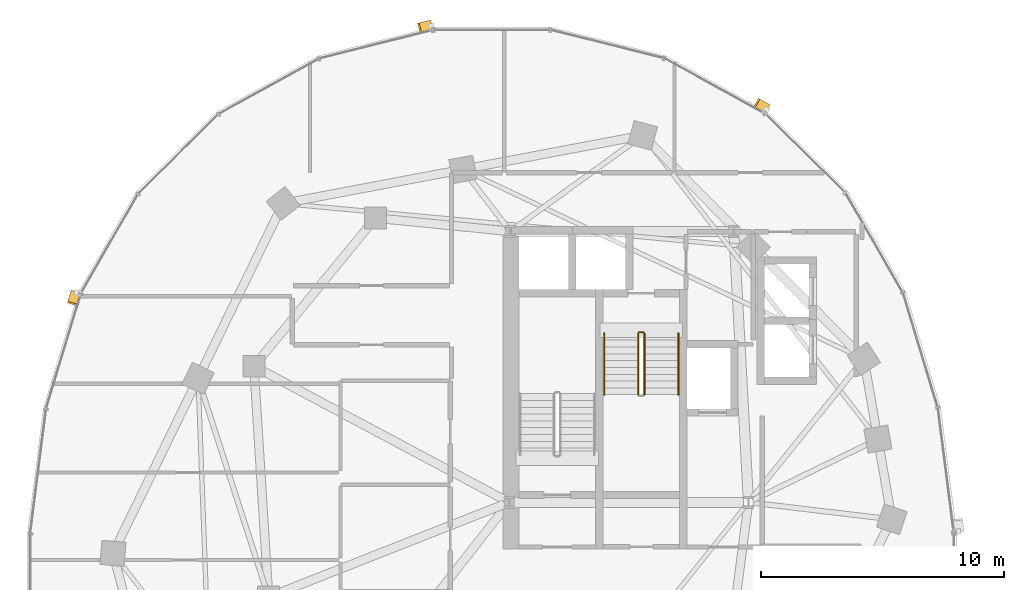
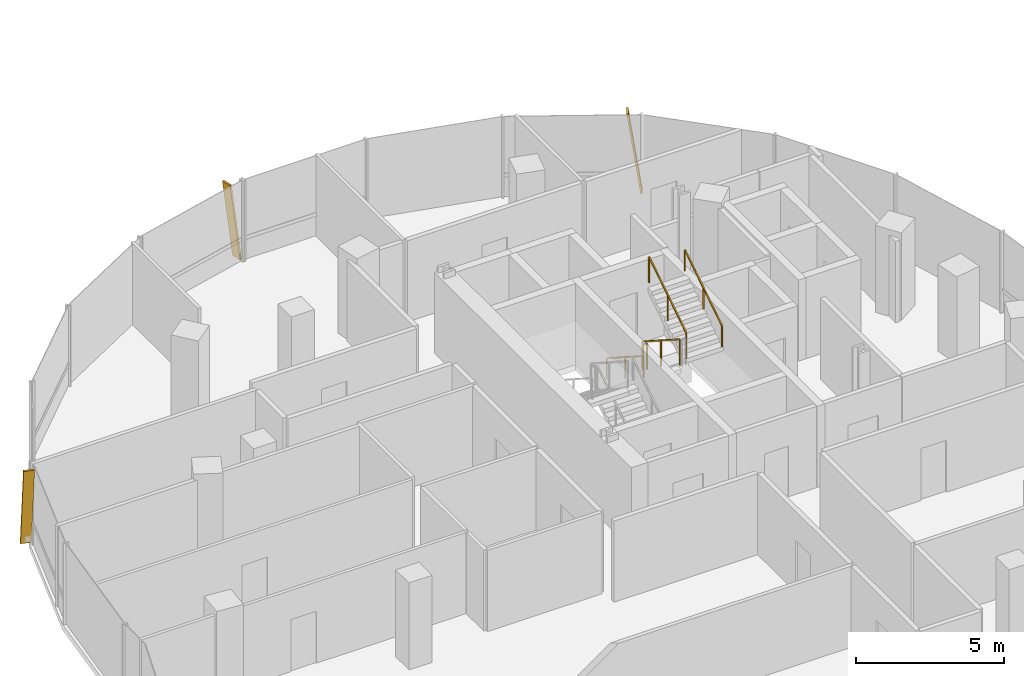
# One storey, part 21 of 23: 5 railings, 3 shading devices.
"""IFC4 building model written with IfcOpenShell, lengths in metres."""

import ifcopenshell
import ifcopenshell.guid

model = None  # the IFC model being written
_history = None  # IfcOwnerHistory: only IFC2X3 demands one
_inside = {}  # id of a spatial element -> (the spatial element, [elements in it])
_under = {}  # id of a project, library or spatial element -> (it, [spatial elements below it])
_declared = {}  # id of a project -> (the project, [libraries it declares])
_typed = {}  # id of a type object -> (the type object, [elements of that type])
_made_of = {}  # id of a material, layer set ... -> (it, [elements and type objects made of it])


def new_model(schema):
    """Start an empty IFC model of exactly this schema.

    Asked for "IFC4X3", IfcOpenShell would pick the latest addendum, in which some entities
    have other attributes; the version numbers below select the first issue.
    IFC2X3 requires an IfcOwnerHistory on every rooted entity: one is made here for all.
    """
    global model, _history
    if schema == "IFC4X3":
        model = ifcopenshell.file(schema_version=(4, 3, 0, 0))
    else:
        model = ifcopenshell.file(schema=schema)
    _inside.clear()
    _under.clear()
    _declared.clear()
    _typed.clear()
    _made_of.clear()
    _history = None
    if model.schema == "IFC2X3":
        org = make("IfcOrganization", Name="unknown")
        user = make(
            "IfcPersonAndOrganization",
            ThePerson=make("IfcPerson", FamilyName="unknown"),
            TheOrganization=org,
        )
        app = make(
            "IfcApplication",
            ApplicationDeveloper=org,
            Version="unknown",
            ApplicationFullName="unknown",
            ApplicationIdentifier="unknown",
        )
        _history = make(
            "IfcOwnerHistory",
            OwningUser=user,
            OwningApplication=app,
            ChangeAction="ADDED",
            CreationDate=0,
        )
    return model


def make(cls, **values):
    """One entity of the class cls with the attributes given. An attribute that is None is left unset."""
    return model.create_entity(
        cls, **{name: value for name, value in values.items() if value is not None}
    )


def rooted(cls, **values):
    """An entity with a GlobalId (a new one), such as an element, a storey or a relation."""
    return make(cls, GlobalId=ifcopenshell.guid.new(), OwnerHistory=_history, **values)


def si_unit(unit_type, name, prefix=None):
    """IfcSIUnit, for example si_unit("LENGTHUNIT", "METRE", prefix="MILLI")."""
    return make("IfcSIUnit", UnitType=unit_type, Prefix=prefix, Name=name)


def assignment(units):
    """IfcUnitAssignment: the units of a project."""
    return None if units is None else make("IfcUnitAssignment", Units=units)


def point(xyz):
    """IfcCartesianPoint."""
    return None if xyz is None else make("IfcCartesianPoint", Coordinates=xyz)


def direction(xyz):
    """IfcDirection."""
    return None if xyz is None else make("IfcDirection", DirectionRatios=xyz)


def frame(location, z_axis=None, x_axis=None):
    """IfcAxis2Placement3D, a coordinate frame: its origin and axes. An axis left out is left unset."""
    return make(
        "IfcAxis2Placement3D",
        Location=point(location),
        Axis=direction(z_axis),
        RefDirection=direction(x_axis),
    )


def frame_2d(location, x_axis=None):
    """IfcAxis2Placement2D, a coordinate frame in the plane: its origin and x axis."""
    return make(
        "IfcAxis2Placement2D", Location=point(location), RefDirection=direction(x_axis)
    )


def origin():
    """The frame at (0, 0, 0) with its axes left unset."""
    return frame((0.0, 0.0, 0.0))


def origin_2d():
    """The frame at (0, 0) in the plane with its x axis left unset."""
    return frame_2d((0.0, 0.0))


def place(relative_to, where):
    """IfcLocalPlacement: puts the frame where relative to a parent placement (None: the world)."""
    return make(
        "IfcLocalPlacement", PlacementRelTo=relative_to, RelativePlacement=where
    )


def context(
    kind, dimensions, precision=None, world=None, true_north=None, identifier=None
):
    """IfcGeometricRepresentationContext, for example the 3D "Model" context."""
    return make(
        "IfcGeometricRepresentationContext",
        ContextIdentifier=identifier,
        ContextType=kind,
        CoordinateSpaceDimension=dimensions,
        Precision=precision,
        WorldCoordinateSystem=world,
        TrueNorth=true_north,
    )


def subcontext(parent, identifier, kind, view, scale=None):
    """IfcGeometricRepresentationSubContext, for example "Body" below "Model"."""
    return make(
        "IfcGeometricRepresentationSubContext",
        ContextIdentifier=identifier,
        ContextType=kind,
        ParentContext=parent,
        TargetScale=scale,
        TargetView=view,
    )


def project(units=None, contexts=None):
    """IfcProject with its units and contexts."""
    return rooted(
        "IfcProject",
        Name="project",
        RepresentationContexts=contexts,
        UnitsInContext=assignment(units),
    )


def spatial(cls, under=None, at=None, **own):
    """A site, building, storey or space (cls), placed at a placement, below another one or the project."""
    s = rooted(cls, ObjectPlacement=at, **own)
    if under is not None:
        _under.setdefault(under.id(), (under, []))[1].append(s)
    return s


def profile(cls, at=None, kind="AREA", **sizes):
    """A parametric profile (cls). Its sizes go by their IFC names, for example OverallWidth=200.0."""
    return make(cls, ProfileType=kind, Position=at, **sizes)


def rectangle(**sizes):
    """IfcRectangleProfileDef."""
    return profile("IfcRectangleProfileDef", **sizes)


def extrude(swept, where, along, depth):
    """IfcExtrudedAreaSolid: the profile swept, set in the frame where, extruded along a direction by depth."""
    return make(
        "IfcExtrudedAreaSolid",
        SweptArea=swept,
        Position=where,
        ExtrudedDirection=direction(along),
        Depth=depth,
    )


def shape(context_of_items, identifier, shape_type, items):
    """IfcShapeRepresentation: the items that make up one representation, for example the "Body"."""
    return make(
        "IfcShapeRepresentation",
        ContextOfItems=context_of_items,
        RepresentationIdentifier=identifier,
        RepresentationType=shape_type,
        Items=items,
    )


def material(Name=None, Category=None):
    """IfcMaterial."""
    return make("IfcMaterial", Name=Name, Category=Category)


def material_profile(
    of_material, cross_section, Name=None, Category=None, Priority=None
):
    """IfcMaterialProfile: a cross section and its material."""
    return make(
        "IfcMaterialProfile",
        Name=Name,
        Material=of_material,
        Profile=cross_section,
        Priority=Priority,
        Category=Category,
    )


def profile_set(profiles, Name=None, composite=None):
    """IfcMaterialProfileSet."""
    return make(
        "IfcMaterialProfileSet",
        Name=Name,
        MaterialProfiles=profiles,
        CompositeProfile=composite,
    )


def made_of(thing, what):
    """Note that an element or type object is made of a material, layer set ...; save() writes the relation."""
    if what is not None:
        _made_of.setdefault(what.id(), (what, []))[1].append(thing)
    return thing


def type_object(cls, material=None, **own):
    """A type object (cls), such as IfcWallType, which elements share."""
    return made_of(rooted(cls, **own), material)


def element(
    cls,
    number,
    at=None,
    inside=None,
    cuts=None,
    type_object=None,
    material=None,
    context=None,
    identifier="Body",
    shape_type=None,
    held_by="IfcProductDefinitionShape",
    body=None,
    shapes=None,
    **own,
):
    """One element of the class cls, such as IfcWall. Its Tag is "e" and its number.

    at: its placement. inside: the storey or other place that contains it. cuts: it is an
    opening in that element (IfcRelVoidsElement). A single representation is given by context,
    identifier, shape_type and body (its items); several are given by shapes. held_by: the class
    of the entity that holds the representations. save() writes the other relations.
    """
    e = rooted(cls, Tag="e%d" % number, ObjectPlacement=at, **own)
    if body is not None:
        shapes = [shape(context, identifier, shape_type, body)]
    if shapes is not None:
        e.Representation = make(held_by, Representations=shapes)
    if inside is not None:
        _inside.setdefault(inside.id(), (inside, []))[1].append(e)
    if cuts is not None:
        rooted(
            "IfcRelVoidsElement", RelatingBuildingElement=cuts, RelatedOpeningElement=e
        )
    if type_object is not None:
        _typed.setdefault(type_object.id(), (type_object, []))[1].append(e)
    return made_of(e, material)


def aggregate(whole, parts):
    """IfcRelAggregates: a whole, such as a stair, and the parts it consists of."""
    return rooted("IfcRelAggregates", RelatingObject=whole, RelatedObjects=parts)


def save(model, path):
    """Write the relations noted so far, then the file.

    IfcRelAggregates (storeys below a building ...), IfcRelContainedInSpatialStructure (elements
    in a storey), IfcRelDefinesByType, IfcRelAssociatesMaterial and IfcRelDeclares: one each for
    every whole, place, type object, material and project.
    """
    for whole, parts in _under.values():
        aggregate(whole, parts)
    for where, things in _inside.values():
        rooted(
            "IfcRelContainedInSpatialStructure",
            RelatedElements=things,
            RelatingStructure=where,
        )
    for kind, things in _typed.values():
        rooted("IfcRelDefinesByType", RelatedObjects=things, RelatingType=kind)
    for what, things in _made_of.values():
        rooted("IfcRelAssociatesMaterial", RelatedObjects=things, RelatingMaterial=what)
    for by, libraries in _declared.values():
        rooted("IfcRelDeclares", RelatingContext=by, RelatedDefinitions=libraries)
    model.write(path)


model = new_model("IFC4")

# Units and contexts
model_context = context("Model", 3, precision=1e-05, world=origin(), true_north=direction((0.0, 1.0)))
body_context = subcontext(model_context, "Body", "Model", "MODEL_VIEW")
ifc_project = project(units=[si_unit("LENGTHUNIT", "METRE"), si_unit("AREAUNIT", "SQUARE_METRE"), si_unit("VOLUMEUNIT", "CUBIC_METRE"), si_unit("PLANEANGLEUNIT", "RADIAN"), si_unit("MASSUNIT", "GRAM", prefix="KILO"), si_unit("THERMODYNAMICTEMPERATUREUNIT", "KELVIN"), si_unit("POWERUNIT", "WATT")], contexts=[model_context])

# Site, building, storey
site_placement = place(None, origin())
site = spatial("IfcSite", under=ifc_project, at=site_placement, CompositionType="ELEMENT")
building_placement = place(site_placement, origin())
building = spatial("IfcBuilding", under=site, at=building_placement, Name="Cundina Bronze Exchange", CompositionType="ELEMENT")
storey_placement = place(building_placement, frame((0.0, 0.0, 172.800048828125)))
storey = spatial("IfcBuildingStorey", under=building, at=storey_placement, Name="L45", CompositionType="ELEMENT", Elevation=172.800048828125)

# Railings
ifc_material_1 = material(Name="Steel ASTM A36 Painted", Category="steel")
railing_type_1 = type_object("IfcRailingType", Name="RLG-HND-900", PredefinedType="HANDRAIL", material=ifc_material_1)
railing_1_placement = place(storey_placement, frame((-27.389892578125, 10.85009765625, 0.179931640625)))
element("IfcRailing", 1, at=railing_1_placement, inside=storey, type_object=railing_type_1, Name="L45 ST-W2 stair handrail 1", PredefinedType="HANDRAIL", context=body_context, shape_type="SweptSolid", body=[
    extrude(rectangle(XDim=0.048095703125, YDim=0.048095703125, at=origin_2d()), frame((0.0, 0.0, 0.8759765625), z_axis=(0.0, -0.841162588446, 0.540782303519), x_axis=(1.0, 0.0, 0.0)), (0.0, 0.0, 1.0), 2.995849609375),
    extrude(rectangle(XDim=0.0419921875, YDim=0.0419921875, at=origin_2d()), origin(), (0.0, 0.0, 1.0), 0.851806640625),
    extrude(rectangle(XDim=0.0419921875, YDim=0.0419921875, at=origin_2d()), frame((0.0, -1.260009765625, 0.81005859375)), (0.0, 0.0, 1.0), 0.851806640625),
    extrude(rectangle(XDim=0.0419921875, YDim=0.0419921875, at=origin_2d()), frame((0.0, -2.52001953125, 1.6201171875)), (0.0, 0.0, 1.0), 0.851806640625),
])
railing_2_placement = place(storey_placement, frame((-24.330078125, 8.330078125, 1.97998046875)))
element("IfcRailing", 2, at=railing_2_placement, inside=storey, type_object=railing_type_1, Name="L45 ST-W2 stair handrail 2", PredefinedType="HANDRAIL", context=body_context, shape_type="SweptSolid", body=[
    extrude(rectangle(XDim=0.048095703125, YDim=0.048095703125, at=origin_2d()), frame((0.0, 0.0, 0.8759765625), z_axis=(0.0, 0.841199657755, 0.540724639528), x_axis=(-1.0, 0.0, 0.0)), (0.0, 0.0, 1.0), 2.995849609375),
    extrude(rectangle(XDim=0.0419921875, YDim=0.0419921875, at=origin_2d()), origin(), (0.0, 0.0, 1.0), 0.851806640625),
    extrude(rectangle(XDim=0.0419921875, YDim=0.0419921875, at=origin_2d()), frame((0.0, 1.260009765625, 0.81005859375)), (0.0, 0.0, 1.0), 0.851806640625),
    extrude(rectangle(XDim=0.0419921875, YDim=0.0419921875, at=origin_2d()), frame((0.0, 2.52001953125, 1.619873046875)), (0.0, 0.0, 1.0), 0.851806640625),
])
railing_type_2 = type_object("IfcRailingType", Name="RLG-STG-1100", PredefinedType="GUARDRAIL", material=ifc_material_1)
railing_3_placement = place(storey_placement, frame((-25.989990234375, 10.85009765625, 0.179931640625)))
element("IfcRailing", 3, at=railing_3_placement, inside=storey, type_object=railing_type_2, Name="L45 ST-W2 stair guard 1", PredefinedType="GUARDRAIL", context=body_context, shape_type="SweptSolid", body=[
    extrude(rectangle(XDim=0.048095703125, YDim=0.048095703125, at=origin_2d()), frame((0.0, 0.0, 1.076171875), z_axis=(0.0, -0.841162588446, 0.540782303519), x_axis=(1.0, 0.0, 0.0)), (0.0, 0.0, 1.0), 2.995849609375),
    extrude(rectangle(XDim=0.0419921875, YDim=0.0419921875, at=origin_2d()), origin(), (0.0, 0.0, 1.0), 1.052001953125),
    extrude(rectangle(XDim=0.0419921875, YDim=0.0419921875, at=origin_2d()), frame((0.0, -1.260009765625, 0.81005859375)), (0.0, 0.0, 1.0), 1.052001953125),
    extrude(rectangle(XDim=0.0419921875, YDim=0.0419921875, at=origin_2d()), frame((0.0, -2.52001953125, 1.6201171875)), (0.0, 0.0, 1.0), 1.052001953125),
])
railing_4_placement = place(storey_placement, frame((-25.72998046875, 8.330078125, 1.97998046875)))
element("IfcRailing", 4, at=railing_4_placement, inside=storey, type_object=railing_type_2, Name="L45 ST-W2 stair guard 3", PredefinedType="GUARDRAIL", context=body_context, shape_type="SweptSolid", body=[
    extrude(rectangle(XDim=0.048095703125, YDim=0.048095703125, at=origin_2d()), frame((0.0, 0.0, 1.076171875), z_axis=(0.0, 0.841199657755, 0.540724639528), x_axis=(-1.0, 0.0, 0.0)), (0.0, 0.0, 1.0), 2.995849609375),
    extrude(rectangle(XDim=0.0419921875, YDim=0.0419921875, at=origin_2d()), origin(), (0.0, 0.0, 1.0), 1.052001953125),
    extrude(rectangle(XDim=0.0419921875, YDim=0.0419921875, at=origin_2d()), frame((0.0, 1.260009765625, 0.81005859375)), (0.0, 0.0, 1.0), 1.052001953125),
    extrude(rectangle(XDim=0.0419921875, YDim=0.0419921875, at=origin_2d()), frame((0.0, 2.52001953125, 1.619873046875)), (0.0, 0.0, 1.0), 1.052001953125),
])
railing_5_placement = place(storey_placement, frame((-25.93994140625, 10.89990234375, 0.0)))
element("IfcRailing", 5, at=railing_5_placement, inside=storey, type_object=railing_type_2, Name="L45 ST-W2 stair guard 4", PredefinedType="GUARDRAIL", context=body_context, shape_type="SweptSolid", body=[
    extrude(rectangle(XDim=0.048095703125, YDim=0.048095703125, at=origin_2d()), frame((0.0, 0.0, 1.076171875), z_axis=(1.0, 0.0, 0.0), x_axis=(0.0, 1.0, 0.0)), (0.0, 0.0, 1.0), 0.159912109375),
    extrude(rectangle(XDim=0.0419921875, YDim=0.0419921875, at=origin_2d()), origin(), (0.0, 0.0, 1.0), 1.052001953125),
    extrude(rectangle(XDim=0.0419921875, YDim=0.0419921875, at=origin_2d()), frame((0.159912109375, 0.0, 0.0)), (0.0, 0.0, 1.0), 1.052001953125),
])

# Shading devices
ifc_material_2 = material(Name="Anodised Bronze Aluminium 6063-T6", Category="aluminium")
ifc_material_profile = material_profile(ifc_material_2, rectangle(XDim=0.070068359375, YDim=0.3798828125, at=origin_2d()), Name="FIN70X380", Category="aluminium")
ifc_profile_set = profile_set([ifc_material_profile], Name="Anodised Bronze Aluminium 6063-T6")
shading_device_type = type_object("IfcShadingDeviceType", Name="SHD-FIN-BRZ380", PredefinedType="USERDEFINED", material=ifc_profile_set)
for number, where, z_axis, x_axis, name in (
    (6, (-20.679931640625, 20.11181640625, 0.02001953125), (-0.125333488691, 0.068998924088, 0.989712415345), (0.867010347902, -0.477308832643, 0.143071083426), "L45 Diagonal Bronze Solar Fin 5"),
    (7, (-34.51953125, 23.556396484375, 0.02001953125), (-0.138798398751, -0.034717795597, 0.989711917263), (0.960131970194, 0.240158861973, 0.143074528925), "L45 Diagonal Bronze Solar Fin 1"),
    (8, (-49.151123046875, 12.5439453125, 0.02001953125), (-0.041486383227, -0.136977847776, 0.989704980904), (0.286882071994, 0.94721413946, 0.143122502684), "L45 Diagonal Bronze Solar Fin 5"),
):
    element("IfcShadingDevice", number, at=place(storey_placement, frame(where, z_axis=z_axis, x_axis=x_axis)), inside=storey, type_object=shading_device_type, Name=name, ObjectType="FIN", PredefinedType="USERDEFINED", context=body_context, shape_type="SweptSolid", body=[
        extrude(rectangle(XDim=0.070068359375, YDim=0.3798828125, at=origin_2d()), origin(), (0.0, 0.0, 1.0), 3.354248046875),
    ])

save(model, "model.ifc")
